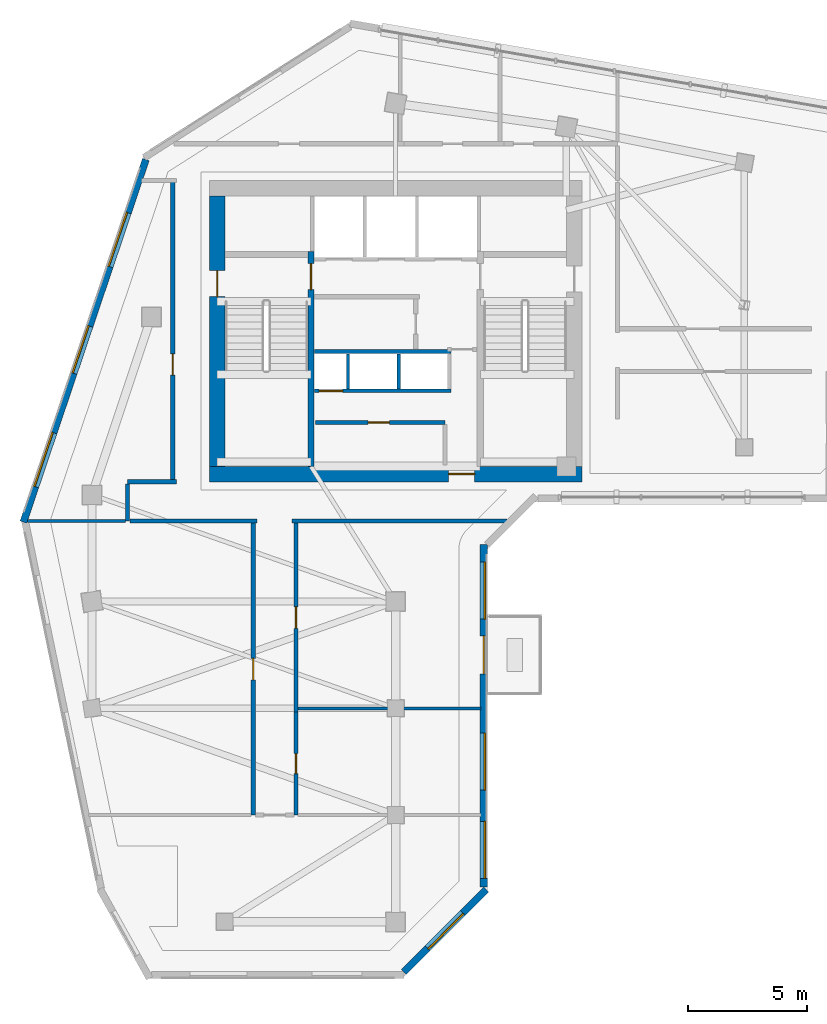
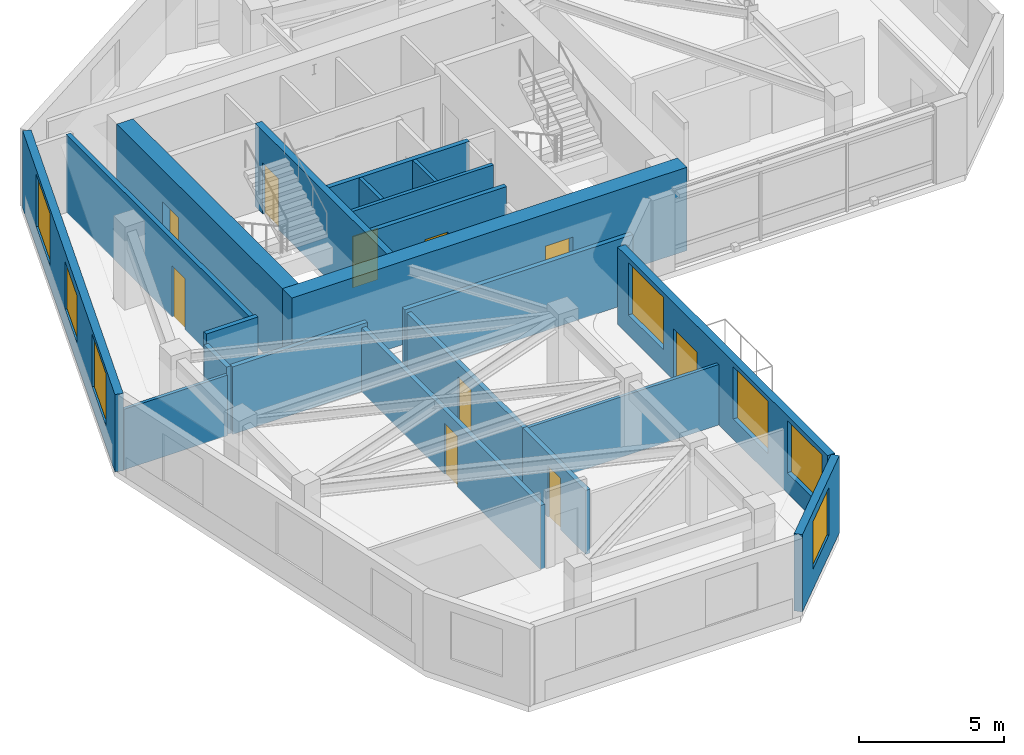
# One storey, part 4 of 9: 21 walls, 10 doors, 7 windows, 17 openings.
"""IFC4 building model written with IfcOpenShell, lengths in metres."""

from ifc_helpers import new_model, si_unit, direction, frame, frame_2d, origin, place, context, subcontext, project, spatial, rectangle, extrude, source, transform, mapped, material, layer, layer_set, type_object, element, fill, save


model = new_model("IFC4")

# Units and contexts
model_context = context("Model", 3, precision=1e-05, world=origin(), true_north=direction((0.0, 1.0)))
body_context = subcontext(model_context, "Body", "Model", "MODEL_VIEW")
ifc_project = project(units=[si_unit("LENGTHUNIT", "METRE"), si_unit("AREAUNIT", "SQUARE_METRE"), si_unit("VOLUMEUNIT", "CUBIC_METRE"), si_unit("PLANEANGLEUNIT", "RADIAN"), si_unit("MASSUNIT", "GRAM", prefix="KILO")], contexts=[model_context])

# Site, building, storey
site_placement = place(None, origin())
site = spatial("IfcSite", under=ifc_project, at=site_placement, CompositionType="ELEMENT")
building_placement = place(site_placement, origin())
building = spatial("IfcBuilding", under=site, at=building_placement, Name="Calvemar Wedge Station Tower", CompositionType="ELEMENT")
storey_placement = place(building_placement, frame((0.0, 0.0, 235.89990234375)))
storey = spatial("IfcBuildingStorey", under=building, at=storey_placement, Name="L60", CompositionType="ELEMENT", Elevation=235.89990234375)

# Wall, opening, door
ifc_material_1 = material(Name="Concrete C50", Category="concrete")
ifc_layer_1 = layer(ifc_material_1, 0.260009765625)
ifc_layer_set_1 = layer_set([ifc_layer_1], Name="Concrete C50")
wall_type_1 = type_object("IfcWallType", Name="SW-CORE-260", PredefinedType="SHEAR", material=ifc_layer_set_1)
wall_1_placement = place(storey_placement, frame((20.22998046875, 34.199951171875, 0.0), z_axis=(0.0, 0.0, 1.0), x_axis=(0.0, 1.0, 0.0)))
wall_1 = element("IfcWall", 1, at=wall_1_placement, inside=storey, type_object=wall_type_1, Name="Storey L60 Core Shear Wall SPINE-W", PredefinedType="SHEAR", context=body_context, shape_type="SweptSolid", body=[
    extrude(rectangle(XDim=9.06005859375, YDim=0.260009765625, at=frame_2d((4.530029296875, 0.0))), origin(), (0.0, 0.0, 1.0), 3.5),
])
shared_shape_1 = source(origin(), body_context, "Body", "SweptSolid", [
    extrude(rectangle(XDim=1.10009765625, YDim=2.14990234375, at=frame_2d((0.550048828125, 1.074951171875))), frame((0.0, 0.14013671875, 0.0), z_axis=(0.0, -1.0, 0.0), x_axis=(1.0, 0.0, 0.0)), (0.0, 0.0, 1.0), 0.280029296875),
])
opening_1_placement = place(wall_1_placement, frame((7.449951171875, 0.0, 0.0)))
opening_1 = element("IfcOpeningElement", 2, at=opening_1_placement, cuts=wall_1, Name="Opening FD-90", PredefinedType="OPENING", context=body_context, shape_type="MappedRepresentation", body=[
    mapped(shared_shape_1, transform((0.0, 0.0, 0.0), scale=1.0)),
])
ifc_material_2 = material(Name="Galvanized fire-rated steel door leaf P-90", Category="steel")
door_type_1 = type_object("IfcDoorType", Name="DR-FD90-1100", OperationType="NOTDEFINED", PredefinedType="DOOR", material=ifc_material_2)
shared_shape_2 = source(origin(), body_context, "Body", "SweptSolid", [
    extrude(rectangle(XDim=1.10009765625, YDim=2.14990234375, at=frame_2d((0.550048828125, 1.074951171875))), frame((0.0, 0.02490234375, 0.0), z_axis=(0.0, -1.0, 0.0), x_axis=(1.0, 0.0, 0.0)), (0.0, 0.0, 1.0), 0.050048828125),
])
door_1_placement = place(opening_1_placement, origin())
door_1 = element("IfcDoor", 3, at=door_1_placement, inside=storey, type_object=door_type_1, Name="L60 FF Lobby to Stair ST-C1 Door", OperationType="SINGLE_SWING_LEFT", OverallHeight=2.14990234375, OverallWidth=1.10009765625, PredefinedType="DOOR", context=body_context, shape_type="MappedRepresentation", body=[
    mapped(shared_shape_2, transform((0.0, 0.0, 0.0), scale=1.0)),
])
fill(opening_1, door_1)

ifc_material_3 = material(Name="Concrete C60", Category="concrete")
ifc_layer_2 = layer(ifc_material_3, 0.64990234375)
ifc_layer_set_2 = layer_set([ifc_layer_2], Name="Concrete C60")
wall_type_2 = type_object("IfcWallType", Name="SW-CORE-650", PredefinedType="SHEAR", material=ifc_layer_set_2)
wall_2_placement = place(storey_placement, frame((15.949951171875, 33.875, 0.0), z_axis=(0.0, 0.0, 1.0), x_axis=(1.0, 0.0, 0.0)))
wall_2 = element("IfcWall", 4, at=wall_2_placement, inside=storey, type_object=wall_type_2, Name="Storey L60 Core Shear Wall S", PredefinedType="SHEAR", context=body_context, shape_type="SweptSolid", body=[
    extrude(rectangle(XDim=15.699951171875, YDim=0.64990234375, at=frame_2d((7.85009765625, 0.0))), origin(), (0.0, 0.0, 1.0), 3.5),
])
shared_shape_3 = source(origin(), body_context, "Body", "SweptSolid", [
    extrude(rectangle(XDim=1.10009765625, YDim=2.14990234375, at=frame_2d((0.550048828125, 1.074951171875))), frame((0.0, 0.3349609375, 0.0), z_axis=(0.0, -1.0, 0.0), x_axis=(1.0, 0.0, 0.0)), (0.0, 0.0, 1.0), 0.669921875),
])
opening_2_placement = place(wall_2_placement, frame((10.080078125, 0.0, 0.0)))
opening_2 = element("IfcOpeningElement", 5, at=opening_2_placement, cuts=wall_2, Name="Opening FD-90", PredefinedType="OPENING", context=body_context, shape_type="MappedRepresentation", body=[
    mapped(shared_shape_3, transform((0.0, 0.0, 0.0), scale=1.0)),
])
door_2_placement = place(opening_2_placement, origin())
door_2 = element("IfcDoor", 6, at=door_2_placement, inside=storey, type_object=door_type_1, Name="L60 Passenger Lift Lobby Door", OperationType="SINGLE_SWING_LEFT", OverallHeight=2.14990234375, OverallWidth=1.10009765625, PredefinedType="DOOR", context=body_context, shape_type="MappedRepresentation", body=[
    mapped(shared_shape_2, transform((0.0, 0.0, 0.0), scale=1.0)),
])
fill(opening_2, door_2)

wall_3_placement = place(storey_placement, frame((16.27490234375, 34.199951171875, 0.0), z_axis=(0.0, 0.0, 1.0), x_axis=(0.0, 1.0, 0.0)))
wall_3 = element("IfcWall", 7, at=wall_3_placement, inside=storey, type_object=wall_type_2, Name="Storey L60 Core Shear Wall W", PredefinedType="SHEAR", context=body_context, shape_type="SweptSolid", body=[
    extrude(rectangle(XDim=11.400146484375, YDim=0.64990234375, at=frame_2d((5.7001953125, 0.0))), origin(), (0.0, 0.0, 1.0), 3.5),
])
opening_3_placement = place(wall_3_placement, frame((7.14990234375, 0.0, 0.0)))
opening_3 = element("IfcOpeningElement", 8, at=opening_3_placement, cuts=wall_3, Name="Opening FD-90", PredefinedType="OPENING", context=body_context, shape_type="MappedRepresentation", body=[
    mapped(shared_shape_3, transform((0.0, 0.0, 0.0), scale=1.0)),
])
door_3_placement = place(opening_3_placement, origin())
door_3 = element("IfcDoor", 9, at=door_3_placement, inside=storey, type_object=door_type_1, Name="L60 West Corridor to Exit Stair ST-C1 Door", OperationType="SINGLE_SWING_LEFT", OverallHeight=2.14990234375, OverallWidth=1.10009765625, PredefinedType="DOOR", context=body_context, shape_type="MappedRepresentation", body=[
    mapped(shared_shape_2, transform((0.0, 0.0, 0.0), scale=1.0)),
])
fill(opening_3, door_3)

ifc_material_4 = material(Name="Double-stud fire-rated corridor partition")
ifc_layer_3 = layer(ifc_material_4, 0.179931640625)
ifc_layer_set_3 = layer_set([ifc_layer_3], Name="Double-stud fire-rated corridor partition")
wall_type_3 = type_object("IfcWallType", Name="W-CORR-180", PredefinedType="PARTITIONING", material=ifc_layer_set_3)
wall_4_placement = place(storey_placement, frame((20.419921875, 36.050048828125, 0.0), z_axis=(0.0, 0.0, 1.0), x_axis=(1.0, 0.0, 0.0)))
wall_4 = element("IfcWall", 10, at=wall_4_placement, inside=storey, type_object=wall_type_3, Name="Storey L60 Interior Partition WL-L60-004", PredefinedType="PARTITIONING", context=body_context, shape_type="SweptSolid", body=[
    extrude(rectangle(XDim=5.4599609375, YDim=0.179931640625, at=frame_2d((2.72998046875, 0.0))), origin(), (0.0, 0.0, 1.0), 3.25),
])
shared_shape_4 = source(origin(), body_context, "Body", "SweptSolid", [
    extrude(rectangle(XDim=0.89990234375, YDim=2.14990234375, at=frame_2d((0.449951171875, 1.074951171875))), frame((0.0, 0.10009765625, 0.0), z_axis=(0.0, -1.0, 0.0), x_axis=(1.0, 0.0, 0.0)), (0.0, 0.0, 1.0), 0.199951171875),
])
opening_4_placement = place(wall_4_placement, frame((2.219482421875, 0.0, 0.0)))
opening_4 = element("IfcOpeningElement", 11, at=opening_4_placement, cuts=wall_4, Name="Opening FD-60", PredefinedType="OPENING", context=body_context, shape_type="MappedRepresentation", body=[
    mapped(shared_shape_4, transform((0.0, 0.0, 0.0), scale=1.0)),
])
ifc_material_5 = material(Name="Fire-rated acoustic timber-core entrance door EI 60", Category="wood")
door_type_2 = type_object("IfcDoorType", Name="DR-FD60-900", OperationType="NOTDEFINED", PredefinedType="DOOR", material=ifc_material_5)
shared_shape_5 = source(origin(), body_context, "Body", "SweptSolid", [
    extrude(rectangle(XDim=0.89990234375, YDim=2.14990234375, at=frame_2d((0.449951171875, 1.074951171875))), frame((0.0, 0.02490234375, 0.0), z_axis=(0.0, -1.0, 0.0), x_axis=(1.0, 0.0, 0.0)), (0.0, 0.0, 1.0), 0.050048828125),
])
door_4_placement = place(opening_4_placement, origin())
door_4 = element("IfcDoor", 12, at=door_4_placement, inside=storey, type_object=door_type_2, Name="L60 Parcel and Resident Store Door", OperationType="SINGLE_SWING_RIGHT", OverallHeight=2.14990234375, OverallWidth=0.89990234375, PredefinedType="DOOR", context=body_context, shape_type="MappedRepresentation", body=[
    mapped(shared_shape_5, transform((0.0, 0.0, 0.0), scale=1.0)),
])
fill(opening_4, door_4)

# Walls
wall_5_placement = place(storey_placement, frame((12.5, 33.550048828125, 0.0), z_axis=(0.0, 0.0, 1.0), x_axis=(1.0, 0.0, 0.0)))
element("IfcWall", 13, at=wall_5_placement, inside=storey, type_object=wall_type_3, Name="Storey L60 Interior Partition WL-L60-006", PredefinedType="PARTITIONING", context=body_context, shape_type="SweptSolid", body=[
    extrude(rectangle(XDim=2.06005859375, YDim=0.179931640625, at=frame_2d((1.030029296875, 0.0))), origin(), (0.0, 0.0, 1.0), 3.25),
])
wall_6_placement = place(storey_placement, frame((12.5, 31.89990234375, 0.0), z_axis=(0.0, 0.0, 1.0), x_axis=(0.0, 1.0, 0.0)))
element("IfcWall", 14, at=wall_6_placement, inside=storey, type_object=wall_type_3, Name="Storey L60 Interior Partition WL-L60-007", PredefinedType="PARTITIONING", context=body_context, shape_type="SweptSolid", body=[
    extrude(rectangle(XDim=1.55615234375, YDim=0.179931640625, at=frame_2d((0.778076171875, 0.0))), origin(), (0.0, 0.0, 1.0), 2.835205078125),
])
wall_7_placement = place(storey_placement, frame((17.9599609375, 31.89990234375, 0.0), z_axis=(0.0, 0.0, 1.0), x_axis=(-1.0, 0.0, 0.0)))
element("IfcWall", 15, at=wall_7_placement, inside=storey, type_object=wall_type_3, Name="Storey L60 Interior Partition WL-L60-008", PredefinedType="PARTITIONING", context=body_context, shape_type="SweptSolid", body=[
    extrude(rectangle(XDim=5.365966796875, YDim=0.179931640625, at=frame_2d((2.68310546875, 0.0))), origin(), (0.0, 0.0, 1.0), 2.835205078125),
])
wall_8_placement = place(storey_placement, frame((28.497314453125, 31.89990234375, 0.0), z_axis=(0.0, 0.0, 1.0), x_axis=(-1.0, 0.0, 0.0)))
element("IfcWall", 16, at=wall_8_placement, inside=storey, type_object=wall_type_3, Name="Storey L60 Interior Partition WL-L60-009", PredefinedType="PARTITIONING", context=body_context, shape_type="SweptSolid", body=[
    extrude(rectangle(XDim=9.057373046875, YDim=0.179931640625, at=frame_2d((4.52880859375, 0.0))), origin(), (0.0, 0.0, 1.0), 2.835205078125),
])

# Wall, opening, door
wall_9_placement = place(storey_placement, frame((14.39990234375, 33.64404296875, 0.0), z_axis=(0.0, 0.0, 1.0), x_axis=(0.0, 1.0, 0.0)))
wall_9 = element("IfcWall", 17, at=wall_9_placement, inside=storey, type_object=wall_type_3, Name="Storey L60 Interior Partition WL-L60-010", PredefinedType="PARTITIONING", context=body_context, shape_type="SweptSolid", body=[
    extrude(rectangle(XDim=12.60595703125, YDim=0.179931640625, at=frame_2d((6.302978515625, 0.0))), origin(), (0.0, 0.0, 1.0), 3.25),
])
opening_5_placement = place(wall_9_placement, frame((4.399169921875, 0.0, 0.0)))
opening_5 = element("IfcOpeningElement", 18, at=opening_5_placement, cuts=wall_9, Name="Opening D-01", PredefinedType="OPENING", context=body_context, shape_type="MappedRepresentation", body=[
    mapped(shared_shape_4, transform((0.0, 0.0, 0.0), scale=1.0)),
])
ifc_material_6 = material(Name="Architectural hardwood acoustic swing door", Category="wood")
door_type_3 = type_object("IfcDoorType", Name="DR-INT-900", OperationType="NOTDEFINED", PredefinedType="DOOR", material=ifc_material_6)
shared_shape_6 = source(origin(), body_context, "Body", "SweptSolid", [
    extrude(rectangle(XDim=0.89990234375, YDim=2.14990234375, at=frame_2d((0.449951171875, 1.074951171875))), frame((0.0, 0.02490234375, 0.0), z_axis=(0.0, -1.0, 0.0), x_axis=(1.0, 0.0, 0.0)), (0.0, 0.0, 1.0), 0.050048828125),
])
door_5_placement = place(opening_5_placement, origin())
door_5 = element("IfcDoor", 19, at=door_5_placement, inside=storey, type_object=door_type_3, Name="L60 Resident Reading Lounge Door", OperationType="SINGLE_SWING_LEFT", OverallHeight=2.14990234375, OverallWidth=0.89990234375, PredefinedType="DOOR", context=body_context, shape_type="MappedRepresentation", body=[
    mapped(shared_shape_6, transform((0.0, 0.0, 0.0), scale=1.0)),
])
fill(opening_5, door_5)

wall_10_placement = place(storey_placement, frame((17.800048828125, 19.5, 0.0), z_axis=(0.0, 0.0, 1.0), x_axis=(0.0, 1.0, 0.0)))
wall_10 = element("IfcWall", 20, at=wall_10_placement, inside=storey, type_object=wall_type_3, Name="Storey L60 Interior Partition WL-L60-025", PredefinedType="PARTITIONING", context=body_context, shape_type="SweptSolid", body=[
    extrude(rectangle(XDim=12.305908203125, YDim=0.179931640625, at=frame_2d((6.15283203125, 0.0))), origin(), (0.0, 0.0, 1.0), 2.68798828125),
])
opening_6_placement = place(wall_10_placement, frame((5.702880859375, 0.0, 0.0)))
opening_6 = element("IfcOpeningElement", 21, at=opening_6_placement, cuts=wall_10, Name="Opening D-01", PredefinedType="OPENING", context=body_context, shape_type="MappedRepresentation", body=[
    mapped(shared_shape_4, transform((0.0, 0.0, 0.0), scale=1.0)),
])
door_6_placement = place(opening_6_placement, origin())
door_6 = element("IfcDoor", 22, at=door_6_placement, inside=storey, type_object=door_type_3, Name="L60 Co-Working Studio Door", OperationType="SINGLE_SWING_RIGHT", OverallHeight=2.14990234375, OverallWidth=0.89990234375, PredefinedType="DOOR", context=body_context, shape_type="MappedRepresentation", body=[
    mapped(shared_shape_6, transform((0.0, 0.0, 0.0), scale=1.0)),
])
fill(opening_6, door_6)

wall_11_placement = place(storey_placement, frame((19.60009765625, 31.805908203125, 0.0), z_axis=(0.0, 0.0, 1.0), x_axis=(0.0, -1.0, 0.0)))
wall_11 = element("IfcWall", 23, at=wall_11_placement, inside=storey, type_object=wall_type_3, Name="Storey L60 Interior Partition WL-L60-026", PredefinedType="PARTITIONING", context=body_context, shape_type="SweptSolid", body=[
    extrude(rectangle(XDim=7.9658203125, YDim=0.179931640625, at=frame_2d((3.98291015625, 0.0))), origin(), (0.0, 0.0, 1.0), 2.68798828125),
])
opening_7_placement = place(wall_11_placement, frame((3.532958984375, 0.0, 0.0)))
opening_7 = element("IfcOpeningElement", 24, at=opening_7_placement, cuts=wall_11, Name="Opening D-01", PredefinedType="OPENING", context=body_context, shape_type="MappedRepresentation", body=[
    mapped(shared_shape_4, transform((0.0, 0.0, 0.0), scale=1.0)),
])
door_7_placement = place(opening_7_placement, origin())
door_7 = element("IfcDoor", 25, at=door_7_placement, inside=storey, type_object=door_type_3, Name="L60 Executive Boardroom Door", OperationType="SINGLE_SWING_LEFT", OverallHeight=2.14990234375, OverallWidth=0.89990234375, PredefinedType="DOOR", context=body_context, shape_type="MappedRepresentation", body=[
    mapped(shared_shape_6, transform((0.0, 0.0, 0.0), scale=1.0)),
])
fill(opening_7, door_7)

wall_12_placement = place(storey_placement, frame((19.60009765625, 23.837890625, 0.0), z_axis=(0.0, 0.0, 1.0), x_axis=(0.0, -1.0, 0.0)))
wall_12 = element("IfcWall", 26, at=wall_12_placement, inside=storey, type_object=wall_type_3, Name="Storey L60 Interior Partition WL-L60-027", PredefinedType="PARTITIONING", context=body_context, shape_type="SweptSolid", body=[
    extrude(rectangle(XDim=4.337890625, YDim=0.179931640625, at=frame_2d((2.1689453125, 0.0))), origin(), (0.0, 0.0, 1.0), 2.68798828125),
])
shared_shape_7 = source(origin(), body_context, "Body", "SweptSolid", [
    extrude(rectangle(XDim=0.85009765625, YDim=2.14990234375, at=frame_2d((0.425048828125, 1.074951171875))), frame((0.0, 0.10009765625, 0.0), z_axis=(0.0, -1.0, 0.0), x_axis=(1.0, 0.0, 0.0)), (0.0, 0.0, 1.0), 0.199951171875),
])
opening_8_placement = place(wall_12_placement, frame((1.743896484375, 0.0, 0.0)))
opening_8 = element("IfcOpeningElement", 27, at=opening_8_placement, cuts=wall_12, Name="Opening D-02", PredefinedType="OPENING", context=body_context, shape_type="MappedRepresentation", body=[
    mapped(shared_shape_7, transform((0.0, 0.0, 0.0), scale=1.0)),
])
ifc_material_7 = material(Name="Moisture-sealed bathroom hardwood swing door", Category="wood")
door_type_4 = type_object("IfcDoorType", Name="DR-WET-850", OperationType="NOTDEFINED", PredefinedType="DOOR", material=ifc_material_7)
shared_shape_8 = source(origin(), body_context, "Body", "SweptSolid", [
    extrude(rectangle(XDim=0.85009765625, YDim=2.14990234375, at=frame_2d((0.425048828125, 1.074951171875))), frame((0.0, 0.02490234375, 0.0), z_axis=(0.0, -1.0, 0.0), x_axis=(1.0, 0.0, 0.0)), (0.0, 0.0, 1.0), 0.050048828125),
])
door_8_placement = place(opening_8_placement, origin())
door_8 = element("IfcDoor", 28, at=door_8_placement, inside=storey, type_object=door_type_4, Name="L60 Pantry Door", OperationType="SINGLE_SWING_RIGHT", OverallHeight=2.14990234375, OverallWidth=0.85009765625, PredefinedType="DOOR", context=body_context, shape_type="MappedRepresentation", body=[
    mapped(shared_shape_8, transform((0.0, 0.0, 0.0), scale=1.0)),
])
fill(opening_8, door_8)

# Wall, opening, window
ifc_material_8 = material(Name="Precast concrete C45", Category="concrete")
ifc_layer_4 = layer(ifc_material_8, 0.300048828125)
ifc_layer_set_4 = layer_set([ifc_layer_4], Name="Precast concrete C45")
wall_type_4 = type_object("IfcWallType", Name="W-EXT-GFRC-300", PredefinedType="SOLIDWALL", material=ifc_layer_set_4)
wall_13_placement = place(storey_placement, frame((24.139892578125, 12.887939453125, 0.0), z_axis=(0.0, 0.0, 1.0), x_axis=(0.707106781187, 0.707106781187, 0.0)))
wall_13 = element("IfcWall", 29, at=wall_13_placement, inside=storey, type_object=wall_type_4, Name="Storey L60 Bronze GFRC Exterior Wall 3", PredefinedType="SOLIDWALL", context=body_context, shape_type="SweptSolid", body=[
    extrude(rectangle(XDim=4.921875, YDim=0.300048828125, at=frame_2d((2.4609375, 0.0))), origin(), (0.0, 0.0, 1.0), 3.25),
])
shared_shape_9 = source(origin(), body_context, "Body", "SweptSolid", [
    extrude(rectangle(XDim=2.10009765625, YDim=2.0, at=frame_2d((1.050048828125, 1.0))), frame((0.0, 0.16015625, 0.0), z_axis=(0.0, -1.0, 0.0), x_axis=(1.0, 0.0, 0.0)), (0.0, 0.0, 1.0), 0.320068359375),
])
opening_9_placement = place(wall_13_placement, frame((1.410888671875, 0.0, 0.85009765625)))
opening_9 = element("IfcOpeningElement", 30, at=opening_9_placement, cuts=wall_13, Name="Opening W4", PredefinedType="OPENING", context=body_context, shape_type="MappedRepresentation", body=[
    mapped(shared_shape_9, transform((0.0, 0.0, 0.0), scale=1.0)),
])
ifc_material_9 = material(Name="Low-E laminated insulated glass", Category="glass")
window_type_1 = type_object("IfcWindowType", Name="WIN-EXT-4", PartitioningType="SINGLE_PANEL", PredefinedType="WINDOW", material=ifc_material_9)
shared_shape_10 = source(origin(), body_context, "Body", "SweptSolid", [
    extrude(rectangle(XDim=2.10009765625, YDim=2.0, at=frame_2d((1.050048828125, 1.0))), frame((0.0, -0.014892578125, 0.0), z_axis=(0.0, -1.0, 0.0), x_axis=(1.0, 0.0, 0.0)), (0.0, 0.0, 1.0), 0.06005859375),
])
window_1_placement = place(opening_9_placement, origin())
window_1 = element("IfcWindow", 31, at=window_1_placement, inside=storey, type_object=window_type_1, Name="Storey L60 Recessed Window 3.1", OverallHeight=2.0, OverallWidth=2.10009765625, PartitioningType="SINGLE_PANEL", PredefinedType="WINDOW", context=body_context, shape_type="MappedRepresentation", body=[
    mapped(shared_shape_10, transform((0.0, 0.0, 0.0), scale=1.0)),
])
fill(opening_9, window_1)

# Wall, openings, windows, door
wall_14_placement = place(storey_placement, frame((27.513916015625, 16.457275390625, 0.0), z_axis=(0.0, 0.0, 1.0), x_axis=(0.0, 1.0, 0.0)))
wall_14 = element("IfcWall", 32, at=wall_14_placement, inside=storey, type_object=wall_type_4, Name="Storey L60 Bronze GFRC Exterior Wall 4", PredefinedType="SOLIDWALL", context=body_context, shape_type="SweptSolid", body=[
    extrude(rectangle(XDim=14.44677734375, YDim=0.300048828125, at=frame_2d((7.223388671875, 0.0))), origin(), (0.0, 0.0, 1.0), 3.25),
])
shared_shape_11 = source(origin(), body_context, "Body", "SweptSolid", [
    extrude(rectangle(XDim=1.60009765625, YDim=2.14990234375, at=frame_2d((0.800048828125, 1.074951171875))), frame((0.0, 0.16015625, 0.0), z_axis=(0.0, -1.0, 0.0), x_axis=(1.0, 0.0, 0.0)), (0.0, 0.0, 1.0), 0.320068359375),
])
opening_10_placement = place(wall_14_placement, frame((8.992919921875, 0.0, 0.0)))
opening_10 = element("IfcOpeningElement", 33, at=opening_10_placement, cuts=wall_14, Name="Opening DT1", PredefinedType="OPENING", context=body_context, shape_type="MappedRepresentation", body=[
    mapped(shared_shape_11, transform((0.0, 0.0, 0.0), scale=1.0)),
])
shared_shape_12 = source(origin(), body_context, "Body", "SweptSolid", [
    extrude(rectangle(XDim=2.39990234375, YDim=2.199951171875, at=frame_2d((1.199951171875, 1.10009765625))), frame((0.0, 0.16015625, 0.0), z_axis=(0.0, -1.0, 0.0), x_axis=(1.0, 0.0, 0.0)), (0.0, 0.0, 1.0), 0.320068359375),
])
opening_11_placement = place(wall_14_placement, frame((0.37109375, 0.0, 0.85009765625)))
opening_11 = element("IfcOpeningElement", 34, at=opening_11_placement, cuts=wall_14, Name="Opening W1", PredefinedType="OPENING", context=body_context, shape_type="MappedRepresentation", body=[
    mapped(shared_shape_12, transform((0.0, 0.0, 0.0), scale=1.0)),
])
opening_12_placement = place(wall_14_placement, frame((4.093017578125, 0.0, 0.85009765625)))
opening_12 = element("IfcOpeningElement", 35, at=opening_12_placement, cuts=wall_14, Name="Opening W1", PredefinedType="OPENING", context=body_context, shape_type="MappedRepresentation", body=[
    mapped(shared_shape_12, transform((0.0, 0.0, 0.0), scale=1.0)),
])
opening_13_placement = place(wall_14_placement, frame((11.300048828125, 0.0, 0.85009765625)))
opening_13 = element("IfcOpeningElement", 36, at=opening_13_placement, cuts=wall_14, Name="Opening W1", PredefinedType="OPENING", context=body_context, shape_type="MappedRepresentation", body=[
    mapped(shared_shape_12, transform((0.0, 0.0, 0.0), scale=1.0)),
])
window_type_2 = type_object("IfcWindowType", Name="WIN-EXT-1", PartitioningType="SINGLE_PANEL", PredefinedType="WINDOW", material=ifc_material_9)
shared_shape_13 = source(origin(), body_context, "Body", "SweptSolid", [
    extrude(rectangle(XDim=2.39990234375, YDim=2.199951171875, at=frame_2d((1.199951171875, 1.10009765625))), frame((0.0, -0.014892578125, 0.0), z_axis=(0.0, -1.0, 0.0), x_axis=(1.0, 0.0, 0.0)), (0.0, 0.0, 1.0), 0.06005859375),
])
window_2_placement = place(opening_11_placement, origin())
window_2 = element("IfcWindow", 37, at=window_2_placement, inside=storey, type_object=window_type_2, Name="Storey L60 Recessed Window 4.1", OverallHeight=2.199951171875, OverallWidth=2.39990234375, PartitioningType="SINGLE_PANEL", PredefinedType="WINDOW", context=body_context, shape_type="MappedRepresentation", body=[
    mapped(shared_shape_13, transform((0.0, 0.0, 0.0), scale=1.0)),
])
fill(opening_11, window_2)
window_3_placement = place(opening_12_placement, origin())
window_3 = element("IfcWindow", 38, at=window_3_placement, inside=storey, type_object=window_type_2, Name="Storey L60 Recessed Window 4.2", OverallHeight=2.199951171875, OverallWidth=2.39990234375, PartitioningType="SINGLE_PANEL", PredefinedType="WINDOW", context=body_context, shape_type="MappedRepresentation", body=[
    mapped(shared_shape_13, transform((0.0, 0.0, 0.0), scale=1.0)),
])
fill(opening_12, window_3)
window_4_placement = place(opening_13_placement, origin())
window_4 = element("IfcWindow", 39, at=window_4_placement, inside=storey, type_object=window_type_2, Name="Storey L60 Recessed Window 4.3", OverallHeight=2.199951171875, OverallWidth=2.39990234375, PartitioningType="SINGLE_PANEL", PredefinedType="WINDOW", context=body_context, shape_type="MappedRepresentation", body=[
    mapped(shared_shape_13, transform((0.0, 0.0, 0.0), scale=1.0)),
])
fill(opening_13, window_4)
ifc_material_10 = material(Name="Anodised aluminium 6063-T6", Category="aluminium")
door_type_5 = type_object("IfcDoorType", Name="DR-TERR-1600", OperationType="DOUBLE_DOOR_SLIDING", PredefinedType="DOOR", material=ifc_material_10)
shared_shape_14 = source(origin(), body_context, "Body", "SweptSolid", [
    extrude(rectangle(XDim=1.60009765625, YDim=2.14990234375, at=frame_2d((0.800048828125, 1.074951171875))), frame((0.0, 0.02490234375, 0.0), z_axis=(0.0, -1.0, 0.0), x_axis=(1.0, 0.0, 0.0)), (0.0, 0.0, 1.0), 0.050048828125),
])
door_9_placement = place(opening_10_placement, origin())
door_9 = element("IfcDoor", 40, at=door_9_placement, inside=storey, type_object=door_type_5, Name="Storey L60 Spiral Terrace Door", OperationType="DOUBLE_DOOR_SLIDING", OverallHeight=2.14990234375, OverallWidth=1.60009765625, PredefinedType="DOOR", context=body_context, shape_type="MappedRepresentation", body=[
    mapped(shared_shape_14, transform((0.0, 0.0, 0.0), scale=1.0)),
])
fill(opening_10, door_9)

# Wall, openings, windows
wall_15_placement = place(storey_placement, frame((13.2685546875, 47.1337890625, 0.0), z_axis=(0.0, 0.0, 1.0), x_axis=(-0.319920776449, -0.947444297464, 0.0)))
wall_15 = element("IfcWall", 41, at=wall_15_placement, inside=storey, type_object=wall_type_4, Name="Storey L60 Bronze GFRC Exterior Wall 12", PredefinedType="SOLIDWALL", context=body_context, shape_type="SweptSolid", body=[
    extrude(rectangle(XDim=16.13330078125, YDim=0.300048828125, at=frame_2d((8.066650390625, 0.0))), origin(), (0.0, 0.0, 1.0), 3.25),
])
opening_14_placement = place(wall_15_placement, frame((2.363037109375, 0.0, 0.85009765625)))
opening_14 = element("IfcOpeningElement", 42, at=opening_14_placement, cuts=wall_15, Name="Opening W1", PredefinedType="OPENING", context=body_context, shape_type="MappedRepresentation", body=[
    mapped(shared_shape_12, transform((0.0, 0.0, 0.0), scale=1.0)),
])
opening_15_placement = place(wall_15_placement, frame((7.409912109375, 0.0, 0.85009765625)))
opening_15 = element("IfcOpeningElement", 43, at=opening_15_placement, cuts=wall_15, Name="Opening W4", PredefinedType="OPENING", context=body_context, shape_type="MappedRepresentation", body=[
    mapped(shared_shape_9, transform((0.0, 0.0, 0.0), scale=1.0)),
])
opening_16_placement = place(wall_15_placement, frame((12.156982421875, 0.0, 0.85009765625)))
opening_16 = element("IfcOpeningElement", 44, at=opening_16_placement, cuts=wall_15, Name="Opening W1", PredefinedType="OPENING", context=body_context, shape_type="MappedRepresentation", body=[
    mapped(shared_shape_12, transform((0.0, 0.0, 0.0), scale=1.0)),
])
window_5_placement = place(opening_15_placement, origin())
window_5 = element("IfcWindow", 45, at=window_5_placement, inside=storey, type_object=window_type_1, Name="Storey L60 Recessed Window 12.2", OverallHeight=2.0, OverallWidth=2.10009765625, PartitioningType="SINGLE_PANEL", PredefinedType="WINDOW", context=body_context, shape_type="MappedRepresentation", body=[
    mapped(shared_shape_10, transform((0.0, 0.0, 0.0), scale=1.0)),
])
fill(opening_15, window_5)
window_6_placement = place(opening_14_placement, origin())
window_6 = element("IfcWindow", 46, at=window_6_placement, inside=storey, type_object=window_type_2, Name="Storey L60 Recessed Window 12.1", OverallHeight=2.199951171875, OverallWidth=2.39990234375, PartitioningType="SINGLE_PANEL", PredefinedType="WINDOW", context=body_context, shape_type="MappedRepresentation", body=[
    mapped(shared_shape_13, transform((0.0, 0.0, 0.0), scale=1.0)),
])
fill(opening_14, window_6)
window_7_placement = place(opening_16_placement, origin())
window_7 = element("IfcWindow", 47, at=window_7_placement, inside=storey, type_object=window_type_2, Name="Storey L60 Recessed Window 12.3", OverallHeight=2.199951171875, OverallWidth=2.39990234375, PartitioningType="SINGLE_PANEL", PredefinedType="WINDOW", context=body_context, shape_type="MappedRepresentation", body=[
    mapped(shared_shape_13, transform((0.0, 0.0, 0.0), scale=1.0)),
])
fill(opening_16, window_7)

# Wall, opening, door
ifc_material_11 = material(Name="Reinforced concrete blockwork lift shaft wall", Category="masonry")
ifc_layer_5 = layer(ifc_material_11, 0.139892578125)
ifc_layer_set_5 = layer_set([ifc_layer_5], Name="Reinforced concrete blockwork lift shaft wall")
wall_type_5 = type_object("IfcWallType", Name="W-LIFT-160", PredefinedType="SOLIDWALL", material=ifc_layer_set_5)
wall_16_placement = place(storey_placement, frame((20.3798828125, 37.3798828125, 0.0), z_axis=(0.0, 0.0, 1.0), x_axis=(1.0, 0.0, 0.0)))
wall_16 = element("IfcWall", 48, at=wall_16_placement, inside=storey, type_object=wall_type_5, Name="Storey L60 Upper Passenger Lift Bank Front Wall", PredefinedType="SOLIDWALL", context=body_context, shape_type="SweptSolid", body=[
    extrude(rectangle(XDim=5.75, YDim=0.139892578125, at=frame_2d((2.875, 0.0))), origin(), (0.0, 0.0, 1.0), 3.25),
])
shared_shape_15 = source(origin(), body_context, "Body", "SweptSolid", [
    extrude(rectangle(XDim=1.0, YDim=2.14990234375, at=frame_2d((0.5, 1.074951171875))), frame((0.0, 0.080078125, 0.0), z_axis=(0.0, -1.0, 0.0), x_axis=(1.0, 0.0, 0.0)), (0.0, 0.0, 1.0), 0.159912109375),
])
opening_17_placement = place(wall_16_placement, frame((0.18994140625, 0.0, 0.0)))
opening_17 = element("IfcOpeningElement", 49, at=opening_17_placement, cuts=wall_16, Name="Opening LD-PAX", PredefinedType="OPENING", context=body_context, shape_type="MappedRepresentation", body=[
    mapped(shared_shape_15, transform((0.0, 0.0, 0.0), scale=1.0)),
])
ifc_material_12 = material(Name="Anodised bronze passenger lift sliding landing door")
door_type_6 = type_object("IfcDoorType", Name="DR-LD-PAX-1000", OperationType="SLIDING_TO_LEFT", PredefinedType="DOOR", material=ifc_material_12)
shared_shape_16 = source(origin(), body_context, "Body", "SweptSolid", [
    extrude(rectangle(XDim=1.0, YDim=2.14990234375, at=frame_2d((0.5, 1.074951171875))), frame((0.0, 0.02490234375, 0.0), z_axis=(0.0, -1.0, 0.0), x_axis=(1.0, 0.0, 0.0)), (0.0, 0.0, 1.0), 0.050048828125),
])
door_10_placement = place(opening_17_placement, origin())
door_10 = element("IfcDoor", 50, at=door_10_placement, inside=storey, type_object=door_type_6, Name="L60 Lift RH-01 Sliding Landing Door", OperationType="SLIDING_TO_LEFT", OverallHeight=2.14990234375, OverallWidth=1.0, PredefinedType="DOOR", context=body_context, shape_type="MappedRepresentation", body=[
    mapped(shared_shape_16, transform((0.0, 0.0, 0.0), scale=1.0)),
])
fill(opening_17, door_10)

# Walls
for number, where, z_axis, x_axis, name in (
    (51, (21.794921875, 37.4599609375, 0.0), (0.0, 0.0, 1.0), (0.0, 1.0, 0.0), "Storey L60 Upper Passenger Lift Shaft Wall D1"),
    (52, (23.93505859375, 37.4599609375, 0.0), (0.0, 0.0, 1.0), (0.0, 1.0, 0.0), "Storey L60 Upper Passenger Lift Shaft Wall D2"),
):
    element("IfcWall", number, at=place(storey_placement, frame(where, z_axis=z_axis, x_axis=x_axis)), inside=storey, type_object=wall_type_5, Name=name, PredefinedType="SOLIDWALL", context=body_context, shape_type="SweptSolid", body=[
        extrude(rectangle(XDim=1.47998046875, YDim=0.139892578125, at=frame_2d((0.739990234375, 0.0))), origin(), (0.0, 0.0, 1.0), 3.25),
    ])
ifc_material_13 = material(Name="Insulated acoustic gypsum stud partition")
ifc_layer_6 = layer(ifc_material_13, 0.125)
ifc_layer_set_6 = layer_set([ifc_layer_6], Name="Insulated acoustic gypsum stud partition")
wall_type_6 = type_object("IfcWallType", Name="W-PART-125", PredefinedType="PARTITIONING", material=ifc_layer_set_6)
wall_17_placement = place(storey_placement, frame((12.406005859375, 31.89990234375, 0.0), z_axis=(0.0, 0.0, 1.0), x_axis=(-1.0, 0.0, 0.0)))
element("IfcWall", 53, at=wall_17_placement, inside=storey, type_object=wall_type_6, Name="Storey L60 Interior Partition WL-L60-018", PredefinedType="PARTITIONING", context=body_context, shape_type="SweptSolid", body=[
    extrude(rectangle(XDim=4.11474609375, YDim=0.125, at=frame_2d((2.057373046875, 0.0))), origin(), (0.0, 0.0, 1.0), 2.5419921875),
])
wall_18_placement = place(storey_placement, frame((27.39892578125, 24.0, 0.0), z_axis=(0.0, 0.0, 1.0), x_axis=(-1.0, 0.0, 0.0)))
element("IfcWall", 54, at=wall_18_placement, inside=storey, type_object=wall_type_6, Name="Storey L60 Interior Partition WL-L60-030", PredefinedType="PARTITIONING", context=body_context, shape_type="SweptSolid", body=[
    extrude(rectangle(XDim=7.704833984375, YDim=0.125, at=frame_2d((3.8525390625, 0.0))), origin(), (0.0, 0.0, 1.0), 2.5419921875),
])
ifc_material_14 = material(Name="Concrete blockwork and fireboard shaft wall", Category="masonry")
ifc_layer_7 = layer(ifc_material_14, 0.199951171875)
ifc_layer_set_7 = layer_set([ifc_layer_7], Name="Concrete blockwork and fireboard shaft wall")
wall_type_7 = type_object("IfcWallType", Name="W-SHAFT-200", PredefinedType="SOLIDWALL", material=ifc_layer_set_7)
wall_19_placement = place(storey_placement, frame((20.3798828125, 39.0400390625, 0.0), z_axis=(0.0, 0.0, 1.0), x_axis=(1.0, 0.0, 0.0)))
element("IfcWall", 55, at=wall_19_placement, inside=storey, type_object=wall_type_7, Name="Storey L60 Upper Passenger Lift Bank Rear Shaft Wall", PredefinedType="SOLIDWALL", context=body_context, shape_type="SweptSolid", body=[
    extrude(rectangle(XDim=5.75, YDim=0.179931640625, at=frame_2d((2.875, 0.0))), origin(), (0.0, 0.0, 1.0), 3.25),
])

save(model, "model.ifc")
